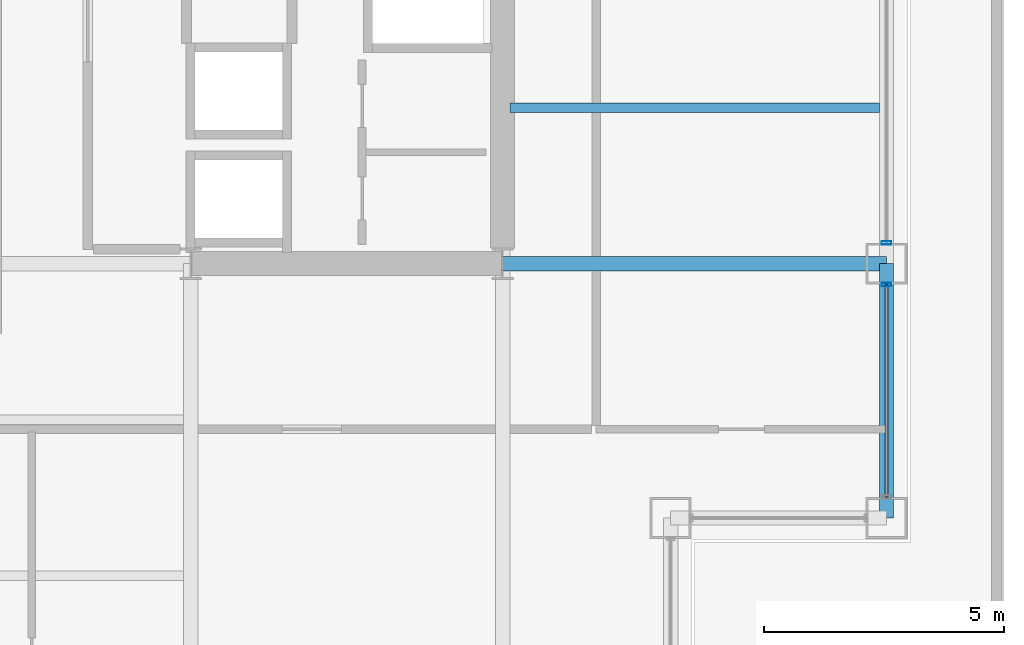
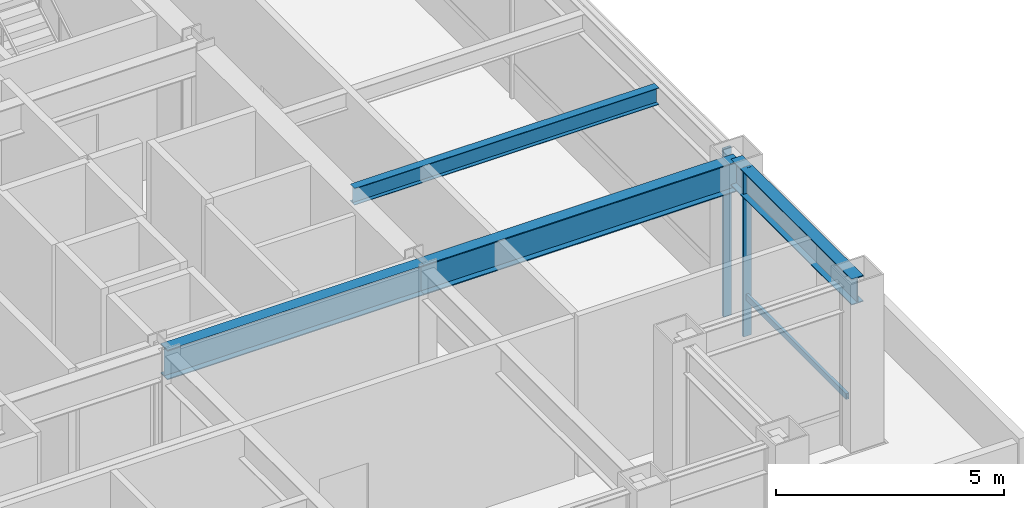
# One storey, part 13 of 32: 4 beams, 3 members, 2 elements without a shape of their own.
"""IFC4 building model written with IfcOpenShell, lengths in metres."""

from ifc_helpers import new_model, si_unit, direction, frame, origin, origin_2d, place, context, subcontext, project, spatial, hollow_rectangle, i_section, extrude, material, layer, layer_set, material_profile, profile_set, type_object, element, aggregate, save


model = new_model("IFC4")

# Units and contexts
model_context = context("Model", 3, precision=1e-05, world=origin(), true_north=direction((0.0, 1.0)))
body_context = subcontext(model_context, "Body", "Model", "MODEL_VIEW")
ifc_project = project(units=[si_unit("LENGTHUNIT", "METRE"), si_unit("AREAUNIT", "SQUARE_METRE"), si_unit("VOLUMEUNIT", "CUBIC_METRE"), si_unit("PLANEANGLEUNIT", "RADIAN"), si_unit("MASSUNIT", "GRAM", prefix="KILO")], contexts=[model_context])

# Site, building, storey
site_placement = place(None, origin())
site = spatial("IfcSite", under=ifc_project, at=site_placement, CompositionType="ELEMENT")
building_placement = place(site_placement, origin())
building = spatial("IfcBuilding", under=site, at=building_placement, Name="Brelmoor Portico Tower", CompositionType="ELEMENT")
storey_placement = place(building_placement, frame((0.0, 0.0, 87.300048828125)))
storey = spatial("IfcBuildingStorey", under=building, at=storey_placement, Name="L22", CompositionType="ELEMENT", Elevation=87.300048828125)

# Beams
ifc_material_1 = material(Name="Steel Q355B", Category="steel")
ifc_material_profile_1 = material_profile(ifc_material_1, i_section(OverallWidth=0.199951171875, OverallDepth=0.449951171875, WebThickness=0.009033203125, FlangeThickness=0.013916015625, at=origin_2d()), Name="HN 450x200x9x14")
ifc_profile_set_1 = profile_set([ifc_material_profile_1], Name="Steel Q355B")
beam_type_1 = type_object("IfcBeamType", Name="BM-JS-450", PredefinedType="JOIST", material=ifc_profile_set_1)
beam_1_placement = place(storey_placement, frame((14.699951171875, -6.5, 4.074951171875), z_axis=(1.0, 0.0, 0.0), x_axis=(0.0, 1.0, 0.0)))
element("IfcBeam", 1, at=beam_1_placement, inside=storey, type_object=beam_type_1, Name="L22 Secondary Wing Joist JS-E09", PredefinedType="JOIST", context=body_context, shape_type="SweptSolid", body=[
    extrude(i_section(OverallWidth=0.199951171875, OverallDepth=0.449951171875, WebThickness=0.009033203125, FlangeThickness=0.013916015625, at=origin_2d()), origin(), (0.0, 0.0, 1.0), 7.699951171875),
])
ifc_material_profile_2 = material_profile(ifc_material_1, i_section(OverallWidth=0.300048828125, OverallDepth=0.800048828125, WebThickness=0.013916015625, FlangeThickness=0.02587890625, at=origin_2d()), Name="HN 800x300x14x26")
ifc_profile_set_2 = profile_set([ifc_material_profile_2], Name="Steel Q355B")
beam_type_2 = type_object("IfcBeamType", Name="BM-PG-800", PredefinedType="BEAM", material=ifc_profile_set_2)
beam_2_placement = place(storey_placement, frame((8.050048828125, -9.75, 3.89990234375), z_axis=(1.0, 0.0, 0.0), x_axis=(0.0, 1.0, 0.0)))
element("IfcBeam", 2, at=beam_2_placement, inside=storey, type_object=beam_type_2, Name="L22 Primary Floor Girder PG-16", PredefinedType="BEAM", context=body_context, shape_type="SweptSolid", body=[
    extrude(i_section(OverallWidth=0.300048828125, OverallDepth=0.800048828125, WebThickness=0.013916015625, FlangeThickness=0.02587890625, at=origin_2d()), origin(), (0.0, 0.0, 1.0), 6.5),
])
beam_3_placement = place(storey_placement, frame((14.550048828125, -9.75, 3.89990234375), z_axis=(1.0, 0.0, 0.0), x_axis=(0.0, 1.0, 0.0)))
element("IfcBeam", 3, at=beam_3_placement, inside=storey, type_object=beam_type_2, Name="L22 Primary Floor Girder PG-17", PredefinedType="BEAM", context=body_context, shape_type="SweptSolid", body=[
    extrude(i_section(OverallWidth=0.300048828125, OverallDepth=0.800048828125, WebThickness=0.013916015625, FlangeThickness=0.02587890625, at=origin_2d()), origin(), (0.0, 0.0, 1.0), 8.0),
])
ifc_material_profile_3 = material_profile(ifc_material_1, i_section(OverallWidth=0.300048828125, OverallDepth=0.699951171875, WebThickness=0.012939453125, FlangeThickness=0.02392578125, at=origin_2d()), Name="HN 700x300x13x24")
ifc_profile_set_3 = profile_set([ifc_material_profile_3], Name="Steel Q355B")
beam_type_3 = type_object("IfcBeamType", Name="BM-SP-700", PredefinedType="SPANDREL", material=ifc_profile_set_3)
beam_4_placement = place(storey_placement, frame((22.550048828125, -15.050048828125, 3.949951171875), z_axis=(0.0, 1.0, 0.0), x_axis=(-1.0, 0.0, 0.0)))
element("IfcBeam", 4, at=beam_4_placement, inside=storey, type_object=beam_type_3, Name="L22 Perimeter Spandrel Beam SP-22", PredefinedType="SPANDREL", context=body_context, shape_type="SweptSolid", body=[
    extrude(i_section(OverallWidth=0.300048828125, OverallDepth=0.699951171875, WebThickness=0.012939453125, FlangeThickness=0.02392578125, at=origin_2d()), origin(), (0.0, 0.0, 1.0), 5.300048828125),
])

# Curtain wall, member
ifc_material_2 = material(Name="Anodised Aluminium Alloy 6063-T6", Category="aluminium")
ifc_layer = layer(ifc_material_2, 0.179931640625)
ifc_layer_set = layer_set([ifc_layer], Name="Anodised Aluminium Alloy 6063-T6")
curtain_wall_type = type_object("IfcCurtainWallType", Name="CW-SKYLOBBY", PredefinedType="NOTDEFINED", material=ifc_layer_set)
curtain_wall_1_placement = place(storey_placement, origin())
curtain_wall_1 = element("IfcCurtainWall", 5, at=curtain_wall_1_placement, inside=storey, type_object=curtain_wall_type, Name="L22 Curtain Wall CW-L22-04-1", PredefinedType="NOTDEFINED")
ifc_material_profile_4 = material_profile(ifc_material_2, hollow_rectangle(XDim=0.070068359375, YDim=0.199951171875, WallThickness=0.00439453125, at=origin_2d()), Name="ALU MULLION 70x200")
ifc_profile_set_4 = profile_set([ifc_material_profile_4], Name="Anodised Aluminium Alloy 6063-T6")
member_type_1 = type_object("IfcMemberType", Name="MB-CW-MULL-200", PredefinedType="MULLION", material=ifc_profile_set_4)
member_1_placement = place(storey_placement, frame((22.550048828125, -10.18505859375, -0.199951171875), z_axis=(0.0, 0.0, 1.0), x_axis=(0.0, 1.0, 0.0)))
member_1 = element("IfcMember", 6, at=member_1_placement, type_object=member_type_1, Name="CW-L22-04-1 Mullion 01", PredefinedType="MULLION", context=body_context, shape_type="SweptSolid", body=[
    extrude(hollow_rectangle(XDim=0.070068359375, YDim=0.199951171875, WallThickness=0.00439453125, at=origin_2d()), origin(), (0.0, 0.0, 1.0), 4.5),
])

curtain_wall_2_placement = place(storey_placement, origin())
curtain_wall_2 = element("IfcCurtainWall", 7, at=curtain_wall_2_placement, inside=storey, type_object=curtain_wall_type, Name="L22 Curtain Wall CW-L22-04-2", PredefinedType="NOTDEFINED")
member_2_placement = place(storey_placement, frame((22.550048828125, -9.31494140625, -0.199951171875), z_axis=(0.0, 0.0, 1.0), x_axis=(0.0, 1.0, 0.0)))
member_2 = element("IfcMember", 8, at=member_2_placement, type_object=member_type_1, Name="CW-L22-04-2 Mullion 00", PredefinedType="MULLION", context=body_context, shape_type="SweptSolid", body=[
    extrude(hollow_rectangle(XDim=0.070068359375, YDim=0.199951171875, WallThickness=0.00439453125, at=origin_2d()), origin(), (0.0, 0.0, 1.0), 4.5),
])
aggregate(curtain_wall_2, [member_2])

# Member
ifc_material_profile_5 = material_profile(ifc_material_2, hollow_rectangle(XDim=0.070068359375, YDim=0.159912109375, WallThickness=0.00390625, at=origin_2d()), Name="ALU TRANSOM 70x160")
ifc_profile_set_5 = profile_set([ifc_material_profile_5], Name="Anodised Aluminium Alloy 6063-T6")
member_type_2 = type_object("IfcMemberType", Name="MB-CW-TRAN-160", PredefinedType="USERDEFINED", material=ifc_profile_set_5)
member_3_placement = place(storey_placement, frame((22.550048828125, -14.614990234375, 0.849853515625), z_axis=(0.0, 1.0, 0.0), x_axis=(-1.0, 0.0, 0.0)))
member_3 = element("IfcMember", 9, at=member_3_placement, type_object=member_type_2, Name="CW-L22-04-1 Transom 1-00", ObjectType="TRANSOM", PredefinedType="USERDEFINED", context=body_context, shape_type="SweptSolid", body=[
    extrude(hollow_rectangle(XDim=0.070068359375, YDim=0.159912109375, WallThickness=0.00390625, at=origin_2d()), origin(), (0.0, 0.0, 1.0), 4.429931640625),
])

aggregate(curtain_wall_1, [member_1, member_3])

save(model, "model.ifc")
